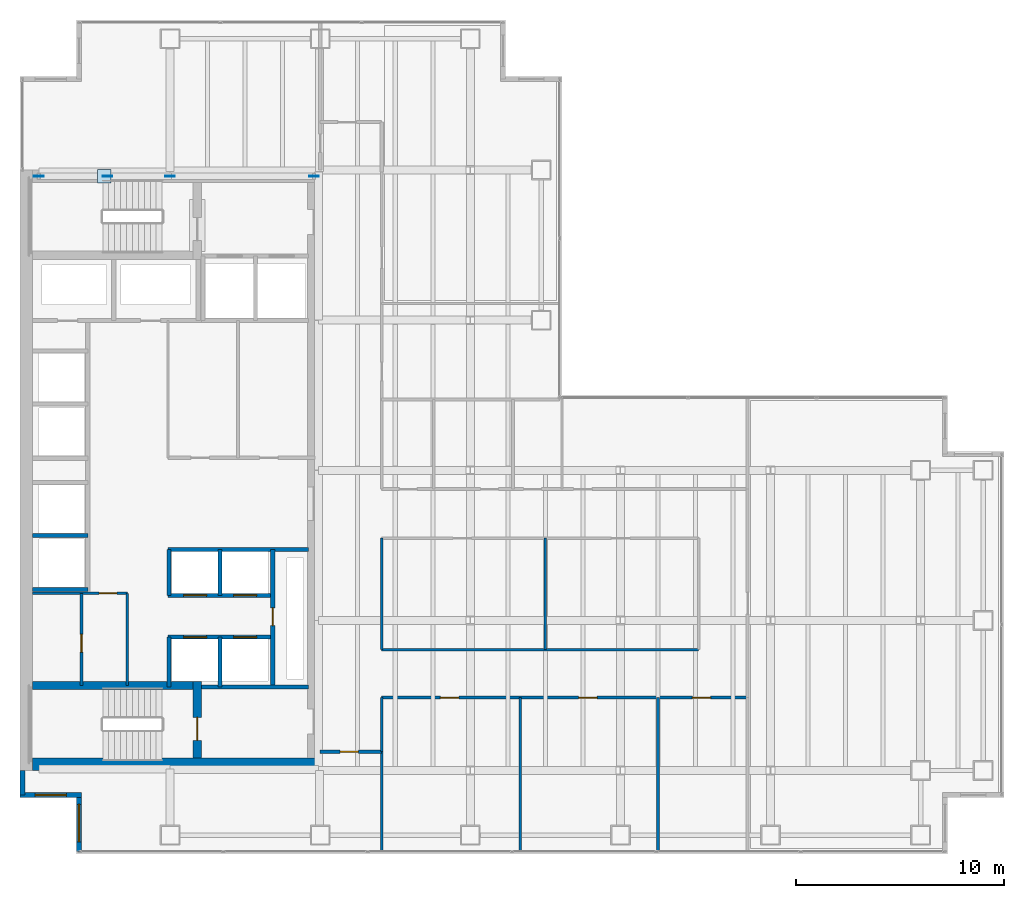
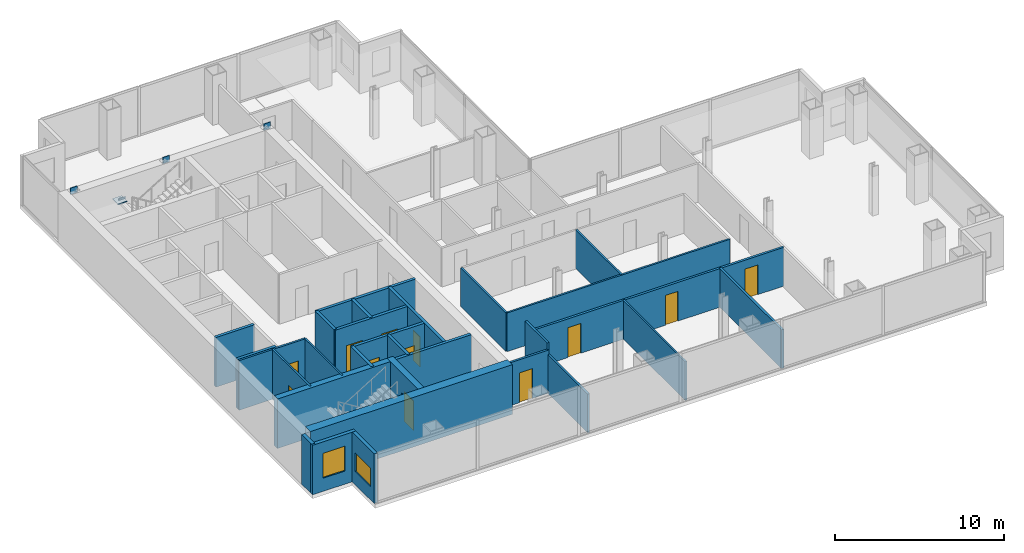
# One storey, part 20 of 24: 29 walls, 12 doors, 5 plates, 2 windows, 14 openings.
"""IFC4 building model written with IfcOpenShell, lengths in metres."""

from ifc_helpers import new_model, si_unit, direction, frame, frame_2d, origin, origin_2d, place, context, subcontext, project, spatial, rectangle, extrude, material, layer, layer_set, type_object, element, fill, save


model = new_model("IFC4")

# Units and contexts
model_context = context("Model", 3, precision=1e-05, world=origin(), true_north=direction((0.0, 1.0)))
body_context = subcontext(model_context, "Body", "Model", "MODEL_VIEW")
ifc_project = project(units=[si_unit("LENGTHUNIT", "METRE"), si_unit("AREAUNIT", "SQUARE_METRE"), si_unit("VOLUMEUNIT", "CUBIC_METRE"), si_unit("PLANEANGLEUNIT", "RADIAN"), si_unit("MASSUNIT", "GRAM", prefix="KILO")], contexts=[model_context])

# Site, building, storey
site_placement = place(None, origin())
site = spatial("IfcSite", under=ifc_project, at=site_placement, CompositionType="ELEMENT")
building_placement = place(site_placement, origin())
building = spatial("IfcBuilding", under=site, at=building_placement, Name="Cobrela Telecom Tower", CompositionType="ELEMENT")
storey_placement = place(building_placement, frame((0.0, 0.0, 106.050048828125)))
storey = spatial("IfcBuildingStorey", under=building, at=storey_placement, Name="L26", CompositionType="ELEMENT", Elevation=106.050048828125)

# Plates
ifc_material_1 = material(Name="Steel ASTM A572 Grade 50", Category="steel")
ifc_layer_1 = layer(ifc_material_1, 0.0419921875)
ifc_layer_set_1 = layer_set([ifc_layer_1], Name="Steel ASTM A572 Grade 50")
plate_type = type_object("IfcPlateType", Name="PLT-NODE-ND1", PredefinedType="USERDEFINED", material=ifc_layer_set_1)
for number, where, z_axis, x_axis, name in (
    (1, (7.199951171875, 35.699951171875, 3.389892578125), (0.0, 0.0, 1.0), (1.0, 0.0, 0.0), "Steel node plate PLT-MBR-EXO-L26-N1-A-1"),
    (2, (4.1953125, 35.699951171875, 1.4755859375), (0.0, 0.0, 1.0), (-1.0, 0.0, 0.0), "Steel node plate PLT-MBR-EXO-L26-N1-B1-1"),
    (3, (0.89990234375, 35.699951171875, 3.389892578125), (0.0, 0.0, 1.0), (-1.0, 0.0, 0.0), "Steel node plate PLT-MBR-EXO-L26-N1-B2-1"),
):
    element("IfcPlate", number, at=place(storey_placement, frame(where, z_axis=z_axis, x_axis=x_axis)), inside=storey, type_object=plate_type, Name=name, ObjectType="GUSSET PLATE", PredefinedType="USERDEFINED", context=body_context, shape_type="SweptSolid", body=[
        extrude(rectangle(XDim=0.4599609375, YDim=0.044921875, at=origin_2d()), origin(), (0.0, 0.0, 1.0), 0.4599609375),
    ])
plate_1_placement = place(storey_placement, frame((4.050048828125, 35.699951171875, 1.767578125), z_axis=(0.0, 0.0, 1.0), x_axis=(1.0, 0.0, 0.0)))
element("IfcPlate", 4, at=plate_1_placement, inside=storey, type_object=plate_type, Name="L26 Core Flange Steel X-Brace Central X-Crossing Gusset Plate", ObjectType="GUSSET PLATE", PredefinedType="USERDEFINED", context=body_context, shape_type="SweptSolid", body=[
    extrude(rectangle(XDim=0.64990234375, YDim=0.64990234375, at=origin_2d()), origin(), (0.0, 0.0, 1.0), 0.044921875),
])
plate_2_placement = place(storey_placement, frame((14.10009765625, 35.699951171875, 3.389892578125), z_axis=(0.0, 0.0, 1.0), x_axis=(1.0, 0.0, 0.0)))
element("IfcPlate", 5, at=plate_2_placement, inside=storey, type_object=plate_type, Name="Steel node plate PLT-MBR-EXO-L26-N2-1", ObjectType="GUSSET PLATE", PredefinedType="USERDEFINED", context=body_context, shape_type="SweptSolid", body=[
    extrude(rectangle(XDim=0.4599609375, YDim=0.044921875, at=origin_2d()), origin(), (0.0, 0.0, 1.0), 0.4599609375),
])

# Wall
ifc_material_2 = material(Name="Concrete C50/60", Category="concrete")
ifc_layer_2 = layer(ifc_material_2, 0.60009765625)
ifc_layer_set_2 = layer_set([ifc_layer_2], Name="Concrete C50/60")
wall_type_1 = type_object("IfcWallType", Name="WALL-CORE-C50-600", PredefinedType="SHEAR", material=ifc_layer_set_2)
wall_1_placement = place(storey_placement, frame((0.60009765625, 7.5, 0.0), z_axis=(0.0, 0.0, 1.0), x_axis=(1.0, 0.0, 0.0)))
element("IfcWall", 6, at=wall_1_placement, inside=storey, type_object=wall_type_1, Name="L26 South Core Shear Wall", PredefinedType="SHEAR", context=body_context, shape_type="SweptSolid", body=[
    extrude(rectangle(XDim=13.7998046875, YDim=0.60009765625, at=frame_2d((6.89990234375, 0.0))), origin(), (0.0, 0.0, 1.0), 3.579833984375),
])

# Wall, opening, window
ifc_material_3 = material(Name="Concrete C40/50", Category="concrete")
ifc_layer_3 = layer(ifc_material_3, 0.239990234375)
ifc_layer_set_3 = layer_set([ifc_layer_3], Name="Concrete C40/50")
wall_type_2 = type_object("IfcWallType", Name="WALL-EXT-300", PredefinedType="STANDARD", material=ifc_layer_set_3)
wall_2_placement = place(storey_placement, frame((2.830078125, 3.320068359375, 0.0), z_axis=(0.0, 0.0, 1.0), x_axis=(0.0, 1.0, 0.0)))
wall_2 = element("IfcWall", 7, at=wall_2_placement, inside=storey, type_object=wall_type_2, Name="L26 Insulated Facade Wall 01", PredefinedType="STANDARD", context=body_context, shape_type="SweptSolid", body=[
    extrude(rectangle(XDim=2.7099609375, YDim=0.239990234375, at=frame_2d((1.35498046875, 0.0))), origin(), (0.0, 0.0, 1.0), 3.579833984375),
])
opening_1_placement = place(wall_2_placement, frame((0.455078125, 0.0, 0.949951171875)))
opening_1 = element("IfcOpeningElement", 8, at=opening_1_placement, cuts=wall_2, Name="Opening WN-27", PredefinedType="OPENING", context=body_context, shape_type="SweptSolid", body=[
    extrude(rectangle(XDim=1.800048828125, YDim=1.35009765625, at=frame_2d((0.89990234375, 0.675048828125))), frame((0.0, 0.1318359375, 0.0), z_axis=(0.0, -1.0, 0.0), x_axis=(1.0, 0.0, 0.0)), (0.0, 0.0, 1.0), 0.263916015625),
])
ifc_material_4 = material(Name="Solar-Control Bronze Low-E Glass", Category="glass")
window_type_1 = type_object("IfcWindowType", Name="WIN-CLER-1800", PartitioningType="SINGLE_PANEL", PredefinedType="WINDOW", material=ifc_material_4)
window_1_placement = place(opening_1_placement, origin())
window_1 = element("IfcWindow", 9, at=window_1_placement, inside=storey, type_object=window_type_1, Name="L26 Corner Notch Facade Window 120", OverallHeight=1.35009765625, OverallWidth=1.800048828125, PartitioningType="SINGLE_PANEL", PredefinedType="WINDOW", context=body_context, shape_type="SweptSolid", body=[
    extrude(rectangle(XDim=1.800048828125, YDim=1.35009765625, at=frame_2d((0.89990234375, 0.675048828125))), frame((0.0, 0.030029296875, 0.0), z_axis=(0.0, -1.0, 0.0), x_axis=(1.0, 0.0, 0.0)), (0.0, 0.0, 1.0), 0.06005859375),
])
fill(opening_1, window_1)

wall_3_placement = place(storey_placement, frame((2.949951171875, 6.030029296875, 0.0), z_axis=(0.0, 0.0, 1.0), x_axis=(-1.0, 0.0, 0.0)))
wall_3 = element("IfcWall", 10, at=wall_3_placement, inside=storey, type_object=wall_type_2, Name="L26 Insulated Facade Wall 02", PredefinedType="STANDARD", context=body_context, shape_type="SweptSolid", body=[
    extrude(rectangle(XDim=2.949951171875, YDim=0.239990234375, at=frame_2d((1.47509765625, 0.0))), origin(), (0.0, 0.0, 1.0), 3.579833984375),
])
opening_2_placement = place(wall_3_placement, frame((0.72509765625, 0.0, 0.949951171875)))
opening_2 = element("IfcOpeningElement", 11, at=opening_2_placement, cuts=wall_3, Name="Opening WN-45", PredefinedType="OPENING", context=body_context, shape_type="SweptSolid", body=[
    extrude(rectangle(XDim=1.5, YDim=1.800048828125, at=frame_2d((0.75, 0.89990234375))), frame((0.0, 0.1318359375, 0.0), z_axis=(0.0, -1.0, 0.0), x_axis=(1.0, 0.0, 0.0)), (0.0, 0.0, 1.0), 0.263916015625),
])
window_type_2 = type_object("IfcWindowType", Name="WIN-MOD-1500", PartitioningType="SINGLE_PANEL", PredefinedType="WINDOW", material=ifc_material_4)
window_2_placement = place(opening_2_placement, origin())
window_2 = element("IfcWindow", 12, at=window_2_placement, inside=storey, type_object=window_type_2, Name="L26 Corner Notch Facade Window 121", OverallHeight=1.800048828125, OverallWidth=1.5, PartitioningType="SINGLE_PANEL", PredefinedType="WINDOW", context=body_context, shape_type="SweptSolid", body=[
    extrude(rectangle(XDim=1.5, YDim=1.800048828125, at=frame_2d((0.75, 0.89990234375))), frame((0.0, 0.030029296875, 0.0), z_axis=(0.0, -1.0, 0.0), x_axis=(1.0, 0.0, 0.0)), (0.0, 0.0, 1.0), 0.06005859375),
])
fill(opening_2, window_2)

# Walls
wall_4_placement = place(storey_placement, frame((0.1201171875, 6.030029296875, 0.0), z_axis=(0.0, 0.0, 1.0), x_axis=(0.0, 1.0, 0.0)))
element("IfcWall", 13, at=wall_4_placement, inside=storey, type_object=wall_type_2, Name="L26 Insulated Facade Wall 03", PredefinedType="STANDARD", context=body_context, shape_type="SweptSolid", body=[
    extrude(rectangle(XDim=1.169921875, YDim=0.239990234375, at=frame_2d((0.5849609375, 0.0))), origin(), (0.0, 0.0, 1.0), 3.579833984375),
])
ifc_material_5 = material(Name="Fire-Rated Gypsum Plasterboard")
ifc_layer_4 = layer(ifc_material_5, 0.110107421875)
ifc_layer_set_4 = layer_set([ifc_layer_4], Name="Fire-Rated Gypsum Plasterboard")
wall_type_3 = type_object("IfcWallType", Name="WALL-PART-110", PredefinedType="PARTITIONING", material=ifc_layer_set_4)
wall_5_placement = place(storey_placement, frame((5.14990234375, 11.280029296875, 0.0), z_axis=(0.0, 0.0, 1.0), x_axis=(0.0, 1.0, 0.0)))
element("IfcWall", 14, at=wall_5_placement, inside=storey, type_object=wall_type_3, Name="L26 Interior Partition CW-FLEX-E", PredefinedType="PARTITIONING", context=body_context, shape_type="SweptSolid", body=[
    extrude(rectangle(XDim=4.419921875, YDim=0.110107421875, at=frame_2d((2.2099609375, 0.0))), origin(), (0.0, 0.0, 1.0), 3.579833984375),
])
wall_6_placement = place(storey_placement, frame((24.0, 3.320068359375, 0.0), z_axis=(0.0, 0.0, 1.0), x_axis=(0.0, 1.0, 0.0)))
element("IfcWall", 15, at=wall_6_placement, inside=storey, type_object=wall_type_3, Name="L26 Interior Partition W-USV-1", PredefinedType="PARTITIONING", context=body_context, shape_type="SweptSolid", body=[
    extrude(rectangle(XDim=7.3798828125, YDim=0.110107421875, at=frame_2d((3.68994140625, 0.0))), origin(), (0.0, 0.0, 1.0), 2.79296875),
])

# Wall, opening, door
ifc_layer_5 = layer(ifc_material_5, 0.125)
ifc_layer_set_5 = layer_set([ifc_layer_5], Name="Fire-Rated Gypsum Plasterboard")
wall_type_4 = type_object("IfcWallType", Name="WALL-PART-125", PredefinedType="PARTITIONING", material=ifc_layer_set_5)
wall_7_placement = place(storey_placement, frame((2.949951171875, 11.280029296875, 0.0), z_axis=(0.0, 0.0, 1.0), x_axis=(0.0, 1.0, 0.0)))
wall_7 = element("IfcWall", 16, at=wall_7_placement, inside=storey, type_object=wall_type_4, Name="L26 Interior Partition CW-FK1-V", PredefinedType="PARTITIONING", context=body_context, shape_type="SweptSolid", body=[
    extrude(rectangle(XDim=4.419921875, YDim=0.125, at=frame_2d((2.2099609375, 0.0))), origin(), (0.0, 0.0, 1.0), 3.579833984375),
])
opening_3_placement = place(wall_7_placement, frame((1.60009765625, 0.0, 0.0)))
opening_3 = element("IfcOpeningElement", 17, at=opening_3_placement, cuts=wall_7, Name="Opening DR-11", PredefinedType="OPENING", context=body_context, shape_type="SweptSolid", body=[
    extrude(rectangle(XDim=0.85009765625, YDim=2.14990234375, at=frame_2d((0.425048828125, 1.074951171875))), frame((0.0, 0.074462890625, 0.0), z_axis=(0.0, -1.0, 0.0), x_axis=(1.0, 0.0, 0.0)), (0.0, 0.0, 1.0), 0.14892578125),
])
ifc_material_6 = material(Name="Solid Engineered Oak Timber", Category="wood")
door_type_1 = type_object("IfcDoorType", Name="DOOR-INT-850", OperationType="SINGLE_SWING_LEFT", PredefinedType="DOOR", material=ifc_material_6)
door_1_placement = place(opening_3_placement, origin())
door_1 = element("IfcDoor", 18, at=door_1_placement, inside=storey, type_object=door_type_1, Name="L26 Door DR-11", OperationType="SINGLE_SWING_RIGHT", OverallHeight=2.14990234375, OverallWidth=0.85009765625, PredefinedType="DOOR", context=body_context, shape_type="SweptSolid", body=[
    extrude(rectangle(XDim=0.85009765625, YDim=2.14990234375, at=frame_2d((0.425048828125, 1.074951171875))), frame((0.0, 0.02490234375, 0.0), z_axis=(0.0, -1.0, 0.0), x_axis=(1.0, 0.0, 0.0)), (0.0, 0.0, 1.0), 0.050048828125),
])
fill(opening_3, door_1)

# Walls
wall_8_placement = place(storey_placement, frame((17.35009765625, 13.0, 0.0), z_axis=(0.0, 0.0, 1.0), x_axis=(0.0, 1.0, 0.0)))
element("IfcWall", 19, at=wall_8_placement, inside=storey, type_object=wall_type_4, Name="L26 Interior Partition W-ISL-W", PredefinedType="PARTITIONING", context=body_context, shape_type="SweptSolid", body=[
    extrude(rectangle(XDim=5.35009765625, YDim=0.125, at=frame_2d((2.675048828125, 0.0))), origin(), (0.0, 0.0, 1.0), 2.79296875),
])
wall_9_placement = place(storey_placement, frame((17.35009765625, 13.0, 0.0), z_axis=(0.0, 0.0, 1.0), x_axis=(1.0, 0.0, 0.0)))
element("IfcWall", 20, at=wall_9_placement, inside=storey, type_object=wall_type_4, Name="L26 Interior Partition W-ISL-S", PredefinedType="PARTITIONING", context=body_context, shape_type="SweptSolid", body=[
    extrude(rectangle(XDim=15.199951171875, YDim=0.125, at=frame_2d((7.60009765625, 0.0))), origin(), (0.0, 0.0, 1.0), 2.79296875),
])
wall_10_placement = place(storey_placement, frame((25.199951171875, 13.0, 0.0), z_axis=(0.0, 0.0, 1.0), x_axis=(0.0, 1.0, 0.0)))
element("IfcWall", 21, at=wall_10_placement, inside=storey, type_object=wall_type_4, Name="L26 Interior Partition W-ISLV-1", PredefinedType="PARTITIONING", context=body_context, shape_type="SweptSolid", body=[
    extrude(rectangle(XDim=5.35009765625, YDim=0.125, at=frame_2d((2.675048828125, 0.0))), origin(), (0.0, 0.0, 1.0), 2.79296875),
])

# Wall, opening, door
ifc_layer_6 = layer(ifc_material_5, 0.135009765625)
ifc_layer_set_6 = layer_set([ifc_layer_6], Name="Fire-Rated Gypsum Plasterboard")
wall_type_5 = type_object("IfcWallType", Name="WALL-PART-135", PredefinedType="PARTITIONING", material=ifc_layer_set_6)
wall_11_placement = place(storey_placement, frame((0.60009765625, 15.699951171875, 0.0), z_axis=(0.0, 0.0, 1.0), x_axis=(1.0, 0.0, 0.0)))
wall_11 = element("IfcWall", 22, at=wall_11_placement, inside=storey, type_object=wall_type_5, Name="L26 Interior Partition CW-FLEX-N", PredefinedType="PARTITIONING", context=body_context, shape_type="SweptSolid", body=[
    extrude(rectangle(XDim=4.5498046875, YDim=0.135009765625, at=frame_2d((2.27490234375, 0.0))), origin(), (0.0, 0.0, 1.0), 3.579833984375),
])
opening_4_placement = place(wall_11_placement, frame((3.199951171875, 0.0, 0.0)))
opening_4 = element("IfcOpeningElement", 23, at=opening_4_placement, cuts=wall_11, Name="Opening DR-11", PredefinedType="OPENING", context=body_context, shape_type="SweptSolid", body=[
    extrude(rectangle(XDim=0.85009765625, YDim=2.14990234375, at=frame_2d((0.425048828125, 1.074951171875))), frame((0.0, 0.07958984375, 0.0), z_axis=(0.0, -1.0, 0.0), x_axis=(1.0, 0.0, 0.0)), (0.0, 0.0, 1.0), 0.158935546875),
])
door_2_placement = place(opening_4_placement, origin())
door_2 = element("IfcDoor", 24, at=door_2_placement, inside=storey, type_object=door_type_1, Name="L26 Door DR-11", OperationType="SINGLE_SWING_LEFT", OverallHeight=2.14990234375, OverallWidth=0.85009765625, PredefinedType="DOOR", context=body_context, shape_type="SweptSolid", body=[
    extrude(rectangle(XDim=0.85009765625, YDim=2.14990234375, at=frame_2d((0.425048828125, 1.074951171875))), frame((0.0, 0.02490234375, 0.0), z_axis=(0.0, -1.0, 0.0), x_axis=(1.0, 0.0, 0.0)), (0.0, 0.0, 1.0), 0.050048828125),
])
fill(opening_4, door_2)

# Walls
wall_12_placement = place(storey_placement, frame((17.35009765625, 8.10009765625, 0.0), z_axis=(0.0, 0.0, 1.0), x_axis=(0.0, 1.0, 0.0)))
element("IfcWall", 25, at=wall_12_placement, inside=storey, type_object=wall_type_5, Name="L26 Interior Partition W-UW-E1", PredefinedType="PARTITIONING", context=body_context, shape_type="SweptSolid", body=[
    extrude(rectangle(XDim=2.599853515625, YDim=0.135009765625, at=frame_2d((1.2998046875, 0.0))), origin(), (0.0, 0.0, 1.0), 3.579833984375),
])
wall_13_placement = place(storey_placement, frame((17.35009765625, 3.320068359375, 0.0), z_axis=(0.0, 0.0, 1.0), x_axis=(0.0, 1.0, 0.0)))
element("IfcWall", 26, at=wall_13_placement, inside=storey, type_object=wall_type_5, Name="L26 Interior Partition W-USW-E", PredefinedType="PARTITIONING", context=body_context, shape_type="SweptSolid", body=[
    extrude(rectangle(XDim=4.780029296875, YDim=0.135009765625, at=frame_2d((2.39013671875, 0.0))), origin(), (0.0, 0.0, 1.0), 2.79296875),
])

# Wall, opening, door
ifc_layer_7 = layer(ifc_material_5, 0.14990234375)
ifc_layer_set_7 = layer_set([ifc_layer_7], Name="Fire-Rated Gypsum Plasterboard")
wall_type_6 = type_object("IfcWallType", Name="WALL-PART-150", PredefinedType="PARTITIONING", material=ifc_layer_set_7)
wall_14_placement = place(storey_placement, frame((14.39990234375, 8.10009765625, 0.0), z_axis=(0.0, 0.0, 1.0), x_axis=(1.0, 0.0, 0.0)))
wall_14 = element("IfcWall", 27, at=wall_14_placement, inside=storey, type_object=wall_type_6, Name="L26 Interior Partition W-UW-S0", PredefinedType="PARTITIONING", context=body_context, shape_type="SweptSolid", body=[
    extrude(rectangle(XDim=2.9501953125, YDim=0.14990234375, at=frame_2d((1.47509765625, 0.0))), origin(), (0.0, 0.0, 1.0), 3.097900390625),
])
opening_5_placement = place(wall_14_placement, frame((0.949951171875, 0.0, 0.0)))
opening_5 = element("IfcOpeningElement", 28, at=opening_5_placement, cuts=wall_14, Name="Opening DR-39", PredefinedType="OPENING", context=body_context, shape_type="SweptSolid", body=[
    extrude(rectangle(XDim=0.8798828125, YDim=2.14990234375, at=frame_2d((0.43994140625, 1.074951171875))), frame((0.0, 0.0869140625, 0.0), z_axis=(0.0, -1.0, 0.0), x_axis=(1.0, 0.0, 0.0)), (0.0, 0.0, 1.0), 0.173828125),
])
door_type_2 = type_object("IfcDoorType", Name="DOOR-INT-880", OperationType="SINGLE_SWING_LEFT", PredefinedType="DOOR", material=ifc_material_6)
door_3_placement = place(opening_5_placement, origin())
door_3 = element("IfcDoor", 29, at=door_3_placement, inside=storey, type_object=door_type_2, Name="L26 Door DR-39", OperationType="SINGLE_SWING_RIGHT", OverallHeight=2.14990234375, OverallWidth=0.8798828125, PredefinedType="DOOR", context=body_context, shape_type="SweptSolid", body=[
    extrude(rectangle(XDim=0.8798828125, YDim=2.14990234375, at=frame_2d((0.43994140625, 1.074951171875))), frame((0.0, 0.02490234375, 0.0), z_axis=(0.0, -1.0, 0.0), x_axis=(1.0, 0.0, 0.0)), (0.0, 0.0, 1.0), 0.050048828125),
])
fill(opening_5, door_3)

# Wall, openings, doors
ifc_layer_8 = layer(ifc_material_5, 0.159912109375)
ifc_layer_set_8 = layer_set([ifc_layer_8], Name="Fire-Rated Gypsum Plasterboard")
wall_type_7 = type_object("IfcWallType", Name="WALL-PART-160", PredefinedType="PARTITIONING", material=ifc_layer_set_8)
wall_15_placement = place(storey_placement, frame((17.35009765625, 10.699951171875, 0.0), z_axis=(0.0, 0.0, 1.0), x_axis=(1.0, 0.0, 0.0)))
wall_15 = element("IfcWall", 30, at=wall_15_placement, inside=storey, type_object=wall_type_7, Name="L26 Interior Partition W-US-S", PredefinedType="PARTITIONING", context=body_context, shape_type="SweptSolid", body=[
    extrude(rectangle(XDim=17.5498046875, YDim=0.159912109375, at=frame_2d((8.77490234375, 0.0))), origin(), (0.0, 0.0, 1.0), 2.79296875),
])
opening_6_placement = place(wall_15_placement, frame((2.820068359375, 0.0, 0.0)))
opening_6 = element("IfcOpeningElement", 31, at=opening_6_placement, cuts=wall_15, Name="Opening DR-39", PredefinedType="OPENING", context=body_context, shape_type="SweptSolid", body=[
    extrude(rectangle(XDim=0.8798828125, YDim=2.14990234375, at=frame_2d((0.43994140625, 1.074951171875))), frame((0.0, 0.091796875, 0.0), z_axis=(0.0, -1.0, 0.0), x_axis=(1.0, 0.0, 0.0)), (0.0, 0.0, 1.0), 0.183837890625),
])
opening_7_placement = place(wall_15_placement, frame((9.449951171875, 0.0, 0.0)))
opening_7 = element("IfcOpeningElement", 32, at=opening_7_placement, cuts=wall_15, Name="Opening DR-39", PredefinedType="OPENING", context=body_context, shape_type="SweptSolid", body=[
    extrude(rectangle(XDim=0.8798828125, YDim=2.14990234375, at=frame_2d((0.43994140625, 1.074951171875))), frame((0.0, 0.091796875, 0.0), z_axis=(0.0, -1.0, 0.0), x_axis=(1.0, 0.0, 0.0)), (0.0, 0.0, 1.0), 0.183837890625),
])
opening_8_placement = place(wall_15_placement, frame((14.89990234375, 0.0, 0.0)))
opening_8 = element("IfcOpeningElement", 33, at=opening_8_placement, cuts=wall_15, Name="Opening DR-39", PredefinedType="OPENING", context=body_context, shape_type="SweptSolid", body=[
    extrude(rectangle(XDim=0.8798828125, YDim=2.14990234375, at=frame_2d((0.43994140625, 1.074951171875))), frame((0.0, 0.091796875, 0.0), z_axis=(0.0, -1.0, 0.0), x_axis=(1.0, 0.0, 0.0)), (0.0, 0.0, 1.0), 0.183837890625),
])
door_4_placement = place(opening_6_placement, origin())
door_4 = element("IfcDoor", 34, at=door_4_placement, inside=storey, type_object=door_type_2, Name="L26 Door DR-39", OperationType="SINGLE_SWING_LEFT", OverallHeight=2.14990234375, OverallWidth=0.8798828125, PredefinedType="DOOR", context=body_context, shape_type="SweptSolid", body=[
    extrude(rectangle(XDim=0.8798828125, YDim=2.14990234375, at=frame_2d((0.43994140625, 1.074951171875))), frame((0.0, 0.02490234375, 0.0), z_axis=(0.0, -1.0, 0.0), x_axis=(1.0, 0.0, 0.0)), (0.0, 0.0, 1.0), 0.050048828125),
])
fill(opening_6, door_4)
door_5_placement = place(opening_7_placement, origin())
door_5 = element("IfcDoor", 35, at=door_5_placement, inside=storey, type_object=door_type_2, Name="L26 Door DR-39", OperationType="SINGLE_SWING_RIGHT", OverallHeight=2.14990234375, OverallWidth=0.8798828125, PredefinedType="DOOR", context=body_context, shape_type="SweptSolid", body=[
    extrude(rectangle(XDim=0.8798828125, YDim=2.14990234375, at=frame_2d((0.43994140625, 1.074951171875))), frame((0.0, 0.02490234375, 0.0), z_axis=(0.0, -1.0, 0.0), x_axis=(1.0, 0.0, 0.0)), (0.0, 0.0, 1.0), 0.050048828125),
])
fill(opening_7, door_5)
door_6_placement = place(opening_8_placement, origin())
door_6 = element("IfcDoor", 36, at=door_6_placement, inside=storey, type_object=door_type_2, Name="L26 Door DR-39", OperationType="SINGLE_SWING_LEFT", OverallHeight=2.14990234375, OverallWidth=0.8798828125, PredefinedType="DOOR", context=body_context, shape_type="SweptSolid", body=[
    extrude(rectangle(XDim=0.8798828125, YDim=2.14990234375, at=frame_2d((0.43994140625, 1.074951171875))), frame((0.0, 0.02490234375, 0.0), z_axis=(0.0, -1.0, 0.0), x_axis=(1.0, 0.0, 0.0)), (0.0, 0.0, 1.0), 0.050048828125),
])
fill(opening_8, door_6)

# Walls
wall_16_placement = place(storey_placement, frame((30.60009765625, 3.320068359375, 0.0), z_axis=(0.0, 0.0, 1.0), x_axis=(0.0, 1.0, 0.0)))
element("IfcWall", 37, at=wall_16_placement, inside=storey, type_object=wall_type_7, Name="L26 Interior Partition W-USV-2", PredefinedType="PARTITIONING", context=body_context, shape_type="SweptSolid", body=[
    extrude(rectangle(XDim=7.3798828125, YDim=0.159912109375, at=frame_2d((3.68994140625, 0.0))), origin(), (0.0, 0.0, 1.0), 2.79296875),
])
ifc_layer_9 = layer(ifc_material_5, 0.199951171875)
ifc_layer_set_9 = layer_set([ifc_layer_9], Name="Fire-Rated Gypsum Plasterboard")
wall_type_8 = type_object("IfcWallType", Name="WALL-SHAFT-200", PredefinedType="PARTITIONING", material=ifc_layer_set_9)
wall_17_placement = place(storey_placement, frame((8.699951171875, 11.199951171875, 0.0), z_axis=(0.0, 0.0, 1.0), x_axis=(1.0, 0.0, 0.0)))
element("IfcWall", 38, at=wall_17_placement, inside=storey, type_object=wall_type_8, Name="L26 Shaft Enclosure CW-ST2L-N", PredefinedType="PARTITIONING", context=body_context, shape_type="SweptSolid", body=[
    extrude(rectangle(XDim=5.150146484375, YDim=0.199951171875, at=frame_2d((2.5751953125, 0.0))), origin(), (0.0, 0.0, 1.0), 3.579833984375),
])
for number, where, z_axis, x_axis, name in (
    (39, (0.60009765625, 15.8798828125, 0.0), (0.0, 0.0, 1.0), (1.0, 0.0, 0.0), "L26 Shaft Enclosure CW-PLH-D9"),
    (40, (0.60009765625, 18.47998046875, 0.0), (0.0, 0.0, 1.0), (1.0, 0.0, 0.0), "L26 Shaft Enclosure CW-PLH-D10"),
):
    element("IfcWall", number, at=place(storey_placement, frame(where, z_axis=z_axis, x_axis=x_axis)), inside=storey, type_object=wall_type_8, Name=name, PredefinedType="PARTITIONING", context=body_context, shape_type="SweptSolid", body=[
        extrude(rectangle(XDim=2.64990234375, YDim=0.199951171875, at=frame_2d((1.324951171875, 0.0))), origin(), (0.0, 0.0, 1.0), 3.579833984375),
    ])
wall_18_placement = place(storey_placement, frame((7.10009765625, 17.800048828125, 0.0), z_axis=(0.0, 0.0, 1.0), x_axis=(1.0, 0.0, 0.0)))
element("IfcWall", 41, at=wall_18_placement, inside=storey, type_object=wall_type_8, Name="L26 Shaft Enclosure CW-PLM-T0", PredefinedType="PARTITIONING", context=body_context, shape_type="SweptSolid", body=[
    extrude(rectangle(XDim=6.75, YDim=0.199951171875, at=frame_2d((3.375, 0.0))), origin(), (0.0, 0.0, 1.0), 3.579833984375),
])

# Wall, openings, doors
wall_19_placement = place(storey_placement, frame((7.10009765625, 15.60009765625, 0.0), z_axis=(0.0, 0.0, 1.0), x_axis=(1.0, 0.0, 0.0)))
wall_19 = element("IfcWall", 42, at=wall_19_placement, inside=storey, type_object=wall_type_8, Name="L26 Shaft Enclosure CW-PLM-N", PredefinedType="PARTITIONING", context=body_context, shape_type="SweptSolid", body=[
    extrude(rectangle(XDim=5.02001953125, YDim=0.199951171875, at=frame_2d((2.510009765625, 0.0))), origin(), (0.0, 0.0, 1.0), 3.579833984375),
])
opening_9_placement = place(wall_19_placement, frame((0.75, 0.0, 0.0)))
opening_9 = element("IfcOpeningElement", 43, at=opening_9_placement, cuts=wall_19, Name="Opening LD-1", PredefinedType="OPENING", context=body_context, shape_type="SweptSolid", body=[
    extrude(rectangle(XDim=1.10009765625, YDim=2.199951171875, at=frame_2d((0.550048828125, 1.10009765625))), frame((0.0, 0.11181640625, 0.0), z_axis=(0.0, -1.0, 0.0), x_axis=(1.0, 0.0, 0.0)), (0.0, 0.0, 1.0), 0.223876953125),
])
opening_10_placement = place(wall_19_placement, frame((3.14990234375, 0.0, 0.0)))
opening_10 = element("IfcOpeningElement", 44, at=opening_10_placement, cuts=wall_19, Name="Opening LD-1", PredefinedType="OPENING", context=body_context, shape_type="SweptSolid", body=[
    extrude(rectangle(XDim=1.10009765625, YDim=2.199951171875, at=frame_2d((0.550048828125, 1.10009765625))), frame((0.0, 0.11181640625, 0.0), z_axis=(0.0, -1.0, 0.0), x_axis=(1.0, 0.0, 0.0)), (0.0, 0.0, 1.0), 0.223876953125),
])
ifc_material_7 = material(Name="Steel ASTM A36", Category="steel")
door_type_3 = type_object("IfcDoorType", Name="DOOR-LD-PL", OperationType="SINGLE_SWING_LEFT", PredefinedType="DOOR", material=ifc_material_7)
door_7_placement = place(opening_9_placement, origin())
door_7 = element("IfcDoor", 45, at=door_7_placement, inside=storey, type_object=door_type_3, Name="L26 Lift Landing Door LD-1", OperationType="DOUBLE_DOOR_SLIDING", OverallHeight=2.199951171875, OverallWidth=1.10009765625, PredefinedType="DOOR", context=body_context, shape_type="SweptSolid", body=[
    extrude(rectangle(XDim=1.10009765625, YDim=2.199951171875, at=frame_2d((0.550048828125, 1.10009765625))), frame((0.0, 0.02490234375, 0.0), z_axis=(0.0, -1.0, 0.0), x_axis=(1.0, 0.0, 0.0)), (0.0, 0.0, 1.0), 0.050048828125),
])
fill(opening_9, door_7)
door_8_placement = place(opening_10_placement, origin())
door_8 = element("IfcDoor", 46, at=door_8_placement, inside=storey, type_object=door_type_3, Name="L26 Lift Landing Door LD-1", OperationType="DOUBLE_DOOR_SLIDING", OverallHeight=2.199951171875, OverallWidth=1.10009765625, PredefinedType="DOOR", context=body_context, shape_type="SweptSolid", body=[
    extrude(rectangle(XDim=1.10009765625, YDim=2.199951171875, at=frame_2d((0.550048828125, 1.10009765625))), frame((0.0, 0.02490234375, 0.0), z_axis=(0.0, -1.0, 0.0), x_axis=(1.0, 0.0, 0.0)), (0.0, 0.0, 1.0), 0.050048828125),
])
fill(opening_10, door_8)

wall_20_placement = place(storey_placement, frame((7.10009765625, 13.60009765625, 0.0), z_axis=(0.0, 0.0, 1.0), x_axis=(1.0, 0.0, 0.0)))
wall_20 = element("IfcWall", 47, at=wall_20_placement, inside=storey, type_object=wall_type_8, Name="L26 Shaft Enclosure CW-PLM-S", PredefinedType="PARTITIONING", context=body_context, shape_type="SweptSolid", body=[
    extrude(rectangle(XDim=5.02001953125, YDim=0.199951171875, at=frame_2d((2.510009765625, 0.0))), origin(), (0.0, 0.0, 1.0), 3.579833984375),
])
opening_11_placement = place(wall_20_placement, frame((0.75, 0.0, 0.0)))
opening_11 = element("IfcOpeningElement", 48, at=opening_11_placement, cuts=wall_20, Name="Opening LD-1", PredefinedType="OPENING", context=body_context, shape_type="SweptSolid", body=[
    extrude(rectangle(XDim=1.10009765625, YDim=2.199951171875, at=frame_2d((0.550048828125, 1.10009765625))), frame((0.0, 0.11181640625, 0.0), z_axis=(0.0, -1.0, 0.0), x_axis=(1.0, 0.0, 0.0)), (0.0, 0.0, 1.0), 0.223876953125),
])
opening_12_placement = place(wall_20_placement, frame((3.14990234375, 0.0, 0.0)))
opening_12 = element("IfcOpeningElement", 49, at=opening_12_placement, cuts=wall_20, Name="Opening LD-1", PredefinedType="OPENING", context=body_context, shape_type="SweptSolid", body=[
    extrude(rectangle(XDim=1.10009765625, YDim=2.199951171875, at=frame_2d((0.550048828125, 1.10009765625))), frame((0.0, 0.11181640625, 0.0), z_axis=(0.0, -1.0, 0.0), x_axis=(1.0, 0.0, 0.0)), (0.0, 0.0, 1.0), 0.223876953125),
])
door_9_placement = place(opening_11_placement, origin())
door_9 = element("IfcDoor", 50, at=door_9_placement, inside=storey, type_object=door_type_3, Name="L26 Lift Landing Door LD-1", OperationType="DOUBLE_DOOR_SLIDING", OverallHeight=2.199951171875, OverallWidth=1.10009765625, PredefinedType="DOOR", context=body_context, shape_type="SweptSolid", body=[
    extrude(rectangle(XDim=1.10009765625, YDim=2.199951171875, at=frame_2d((0.550048828125, 1.10009765625))), frame((0.0, 0.02490234375, 0.0), z_axis=(0.0, -1.0, 0.0), x_axis=(1.0, 0.0, 0.0)), (0.0, 0.0, 1.0), 0.050048828125),
])
fill(opening_11, door_9)
door_10_placement = place(opening_12_placement, origin())
door_10 = element("IfcDoor", 51, at=door_10_placement, inside=storey, type_object=door_type_3, Name="L26 Lift Landing Door LD-1", OperationType="DOUBLE_DOOR_SLIDING", OverallHeight=2.199951171875, OverallWidth=1.10009765625, PredefinedType="DOOR", context=body_context, shape_type="SweptSolid", body=[
    extrude(rectangle(XDim=1.10009765625, YDim=2.199951171875, at=frame_2d((0.550048828125, 1.10009765625))), frame((0.0, 0.02490234375, 0.0), z_axis=(0.0, -1.0, 0.0), x_axis=(1.0, 0.0, 0.0)), (0.0, 0.0, 1.0), 0.050048828125),
])
fill(opening_12, door_10)

# Walls
wall_21_placement = place(storey_placement, frame((7.14990234375, 15.60009765625, 0.0), z_axis=(0.0, 0.0, 1.0), x_axis=(0.0, 1.0, 0.0)))
element("IfcWall", 52, at=wall_21_placement, inside=storey, type_object=wall_type_8, Name="L26 Shaft Enclosure CW-PLM-V1", PredefinedType="PARTITIONING", context=body_context, shape_type="SweptSolid", body=[
    extrude(rectangle(XDim=2.199951171875, YDim=0.199951171875, at=frame_2d((1.10009765625, 0.0))), origin(), (0.0, 0.0, 1.0), 3.579833984375),
])
wall_22_placement = place(storey_placement, frame((7.14990234375, 11.199951171875, 0.0), z_axis=(0.0, 0.0, 1.0), x_axis=(0.0, 1.0, 0.0)))
element("IfcWall", 53, at=wall_22_placement, inside=storey, type_object=wall_type_8, Name="L26 Shaft Enclosure CW-PLM-V1B", PredefinedType="PARTITIONING", context=body_context, shape_type="SweptSolid", body=[
    extrude(rectangle(XDim=2.400146484375, YDim=0.199951171875, at=frame_2d((1.2001953125, 0.0))), origin(), (0.0, 0.0, 1.0), 3.579833984375),
])
wall_23_placement = place(storey_placement, frame((9.60009765625, 15.60009765625, 0.0), z_axis=(0.0, 0.0, 1.0), x_axis=(0.0, 1.0, 0.0)))
element("IfcWall", 54, at=wall_23_placement, inside=storey, type_object=wall_type_8, Name="L26 Shaft Enclosure CW-PLM-V2", PredefinedType="PARTITIONING", context=body_context, shape_type="SweptSolid", body=[
    extrude(rectangle(XDim=2.199951171875, YDim=0.199951171875, at=frame_2d((1.10009765625, 0.0))), origin(), (0.0, 0.0, 1.0), 3.579833984375),
])
wall_24_placement = place(storey_placement, frame((9.60009765625, 11.199951171875, 0.0), z_axis=(0.0, 0.0, 1.0), x_axis=(0.0, 1.0, 0.0)))
element("IfcWall", 55, at=wall_24_placement, inside=storey, type_object=wall_type_8, Name="L26 Shaft Enclosure CW-PLM-V2B", PredefinedType="PARTITIONING", context=body_context, shape_type="SweptSolid", body=[
    extrude(rectangle(XDim=2.400146484375, YDim=0.199951171875, at=frame_2d((1.2001953125, 0.0))), origin(), (0.0, 0.0, 1.0), 3.579833984375),
])

# Wall, opening, door
wall_25_placement = place(storey_placement, frame((12.1201171875, 11.199951171875, 0.0), z_axis=(0.0, 0.0, 1.0), x_axis=(0.0, 1.0, 0.0)))
wall_25 = element("IfcWall", 56, at=wall_25_placement, inside=storey, type_object=wall_type_8, Name="L26 Shaft Enclosure CW-PLM-V3", PredefinedType="PARTITIONING", context=body_context, shape_type="SweptSolid", body=[
    extrude(rectangle(XDim=6.60009765625, YDim=0.199951171875, at=frame_2d((3.300048828125, 0.0))), origin(), (0.0, 0.0, 1.0), 3.579833984375),
])
opening_13_placement = place(wall_25_placement, frame((2.949951171875, 0.0, 0.0)))
opening_13 = element("IfcOpeningElement", 57, at=opening_13_placement, cuts=wall_25, Name="Opening DR-11", PredefinedType="OPENING", context=body_context, shape_type="SweptSolid", body=[
    extrude(rectangle(XDim=0.85009765625, YDim=2.14990234375, at=frame_2d((0.425048828125, 1.074951171875))), frame((0.0, 0.11181640625, 0.0), z_axis=(0.0, -1.0, 0.0), x_axis=(1.0, 0.0, 0.0)), (0.0, 0.0, 1.0), 0.223876953125),
])
door_11_placement = place(opening_13_placement, origin())
door_11 = element("IfcDoor", 58, at=door_11_placement, inside=storey, type_object=door_type_1, Name="L26 Door DR-11", OperationType="SINGLE_SWING_RIGHT", OverallHeight=2.14990234375, OverallWidth=0.85009765625, PredefinedType="DOOR", context=body_context, shape_type="SweptSolid", body=[
    extrude(rectangle(XDim=0.85009765625, YDim=2.14990234375, at=frame_2d((0.425048828125, 1.074951171875))), frame((0.0, 0.02490234375, 0.0), z_axis=(0.0, -1.0, 0.0), x_axis=(1.0, 0.0, 0.0)), (0.0, 0.0, 1.0), 0.050048828125),
])
fill(opening_13, door_11)

# Wall
ifc_layer_10 = layer(ifc_material_3, 0.39990234375)
ifc_layer_set_10 = layer_set([ifc_layer_10], Name="Concrete C40/50")
wall_type_9 = type_object("IfcWallType", Name="WALL-SHAFT-C40-400", PredefinedType="SHEAR", material=ifc_layer_set_10)
wall_26_placement = place(storey_placement, frame((0.60009765625, 11.280029296875, 0.0), z_axis=(0.0, 0.0, 1.0), x_axis=(1.0, 0.0, 0.0)))
element("IfcWall", 59, at=wall_26_placement, inside=storey, type_object=wall_type_9, Name="L26 South Stair Shear Wall", PredefinedType="SHEAR", context=body_context, shape_type="SweptSolid", body=[
    extrude(rectangle(XDim=7.699951171875, YDim=0.39990234375, at=frame_2d((3.85009765625, 0.0))), origin(), (0.0, 0.0, 1.0), 3.579833984375),
])

# Wall, opening, door
wall_27_placement = place(storey_placement, frame((8.5, 7.800048828125, 0.0), z_axis=(0.0, 0.0, 1.0), x_axis=(0.0, 1.0, 0.0)))
wall_27 = element("IfcWall", 60, at=wall_27_placement, inside=storey, type_object=wall_type_9, Name="L26 South Stair Lobby Shear Wall", PredefinedType="SHEAR", context=body_context, shape_type="SweptSolid", body=[
    extrude(rectangle(XDim=3.679931640625, YDim=0.39990234375, at=frame_2d((1.83984375, 0.0))), origin(), (0.0, 0.0, 1.0), 3.579833984375),
])
opening_14_placement = place(wall_27_placement, frame((0.85009765625, 0.0, 0.0)))
opening_14 = element("IfcOpeningElement", 61, at=opening_14_placement, cuts=wall_27, Name="Opening FD-90", PredefinedType="OPENING", context=body_context, shape_type="SweptSolid", body=[
    extrude(rectangle(XDim=1.10009765625, YDim=2.14990234375, at=frame_2d((0.550048828125, 1.074951171875))), frame((0.0, 0.2119140625, 0.0), z_axis=(0.0, -1.0, 0.0), x_axis=(1.0, 0.0, 0.0)), (0.0, 0.0, 1.0), 0.423828125),
])
door_type_4 = type_object("IfcDoorType", Name="DOOR-FD90-1100", OperationType="SINGLE_SWING_LEFT", PredefinedType="DOOR", material=ifc_material_7)
door_12_placement = place(opening_14_placement, origin())
door_12 = element("IfcDoor", 62, at=door_12_placement, inside=storey, type_object=door_type_4, Name="L26 Door FD-90", OperationType="SINGLE_SWING_LEFT", OverallHeight=2.14990234375, OverallWidth=1.10009765625, PredefinedType="DOOR", context=body_context, shape_type="SweptSolid", body=[
    extrude(rectangle(XDim=1.10009765625, YDim=2.14990234375, at=frame_2d((0.550048828125, 1.074951171875))), frame((0.0, 0.02490234375, 0.0), z_axis=(0.0, -1.0, 0.0), x_axis=(1.0, 0.0, 0.0)), (0.0, 0.0, 1.0), 0.050048828125),
])
fill(opening_14, door_12)

save(model, "model.ifc")
